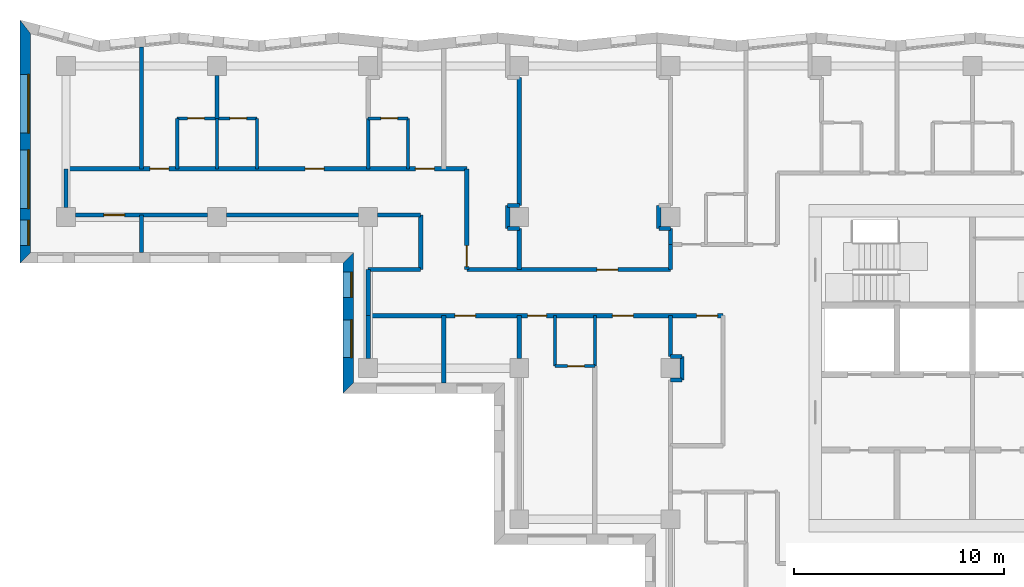
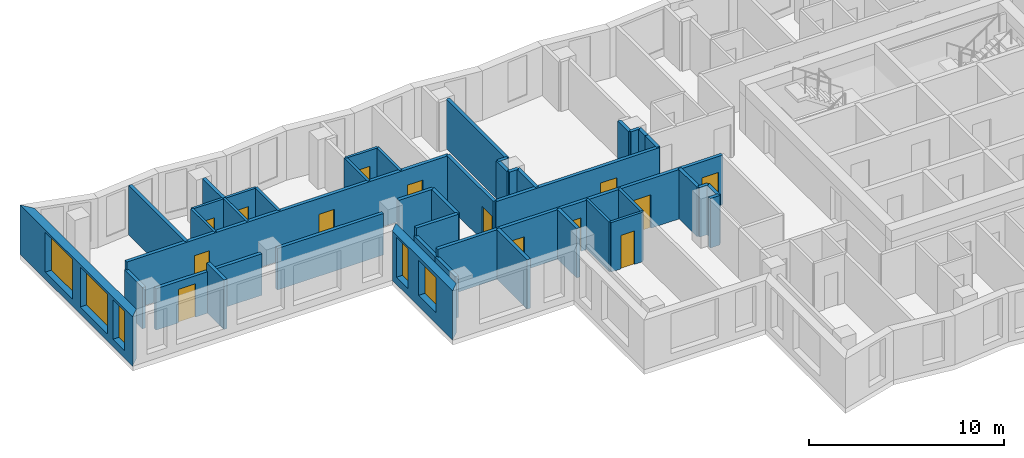
# One storey, part 4 of 12: 42 walls, 14 doors, 5 windows, 19 openings.
"""IFC4 building model written with IfcOpenShell, lengths in metres."""

from ifc_helpers import new_model, si_unit, direction, frame, frame_2d, origin, place, context, subcontext, project, spatial, polyline, rectangle, outline, extrude, material, layer, layer_set, type_object, element, fill, save


model = new_model("IFC4")

# Units and contexts
model_context = context("Model", 3, precision=1e-05, world=origin(), true_north=direction((0.0, 1.0)))
body_context = subcontext(model_context, "Body", "Model", "MODEL_VIEW")
ifc_project = project(units=[si_unit("LENGTHUNIT", "METRE"), si_unit("AREAUNIT", "SQUARE_METRE"), si_unit("VOLUMEUNIT", "CUBIC_METRE"), si_unit("PLANEANGLEUNIT", "RADIAN"), si_unit("MASSUNIT", "GRAM", prefix="KILO")], contexts=[model_context])

# Site, building, storey
site_placement = place(None, origin())
site = spatial("IfcSite", under=ifc_project, at=site_placement, CompositionType="ELEMENT")
building_placement = place(site_placement, origin())
building = spatial("IfcBuilding", under=site, at=building_placement, Name="Windrow Commons", CompositionType="ELEMENT")
storey_placement = place(building_placement, frame((0.0, 0.0, 145.6)))
storey = spatial("IfcBuildingStorey", under=building, at=storey_placement, Name="L39", CompositionType="ELEMENT", Elevation=145.6)

# Wall, openings, windows
ifc_material_1 = material(Name="Brick masonry, red clay brick", Category="masonry")
ifc_layer_1 = layer(ifc_material_1, 0.5)
ifc_layer_set_1 = layer_set([ifc_layer_1], Name="Brick facade wall 500")
wall_type_1 = type_object("IfcWallType", Name="Brick facade wall 500", PredefinedType="SOLIDWALL", material=ifc_layer_set_1)
wall_1_placement = place(storey_placement, frame((19.659, 73.8673, 0.0), z_axis=(0.0, 0.0, 1.0), x_axis=(0.0, -1.0, 0.0)))
wall_1 = element("IfcWall", 1, at=wall_1_placement, inside=storey, type_object=wall_type_1, Name="Brick facade wall L39 35", PredefinedType="SOLIDWALL", context=body_context, shape_type="SweptSolid", body=[
    extrude(outline(polyline([(-0.3237, -0.25), (11.2583, -0.25), (10.7583, 0.25), (0.3237, 0.25), (-0.3237, -0.25)])), origin(), (0.0, 0.0, 1.0), 3.1),
])
opening_1_placement = place(wall_1_placement, frame((2.2673, 0.0, 0.45)))
opening_1 = element("IfcOpeningElement", 2, at=opening_1_placement, cuts=wall_1, Name="Opening W1U", PredefinedType="OPENING", context=body_context, shape_type="SweptSolid", body=[
    extrude(rectangle(XDim=2.8, YDim=2.5, at=frame_2d((1.4, 1.25))), frame((0.0, 0.26, 0.0), z_axis=(0.0, -1.0, 0.0), x_axis=(1.0, 0.0, 0.0)), (0.0, 0.0, 1.0), 0.52),
])
opening_2_placement = place(wall_1_placement, frame((5.8673, 0.0, 0.45)))
opening_2 = element("IfcOpeningElement", 3, at=opening_2_placement, cuts=wall_1, Name="Opening W1U", PredefinedType="OPENING", context=body_context, shape_type="SweptSolid", body=[
    extrude(rectangle(XDim=2.8, YDim=2.5, at=frame_2d((1.4, 1.25))), frame((0.0, 0.26, 0.0), z_axis=(0.0, -1.0, 0.0), x_axis=(1.0, 0.0, 0.0)), (0.0, 0.0, 1.0), 0.52),
])
opening_3_placement = place(wall_1_placement, frame((9.2128, 0.0, 0.45)))
opening_3 = element("IfcOpeningElement", 4, at=opening_3_placement, cuts=wall_1, Name="Opening W7E", PredefinedType="OPENING", context=body_context, shape_type="SweptSolid", body=[
    extrude(rectangle(XDim=1.2, YDim=2.5, at=frame_2d((0.6, 1.25))), frame((0.0, 0.26, 0.0), z_axis=(0.0, -1.0, 0.0), x_axis=(1.0, 0.0, 0.0)), (0.0, 0.0, 1.0), 0.52),
])
ifc_material_2 = material(Name="Clear float glass in anodised aluminium frame", Category="aluminium")
window_type_1 = type_object("IfcWindowType", Name="Window W1U bedroom 2800x2500", PartitioningType="SINGLE_PANEL", PredefinedType="WINDOW", material=ifc_material_2)
window_1_placement = place(opening_1_placement, origin())
window_1 = element("IfcWindow", 5, at=window_1_placement, inside=storey, type_object=window_type_1, Name="Window L39 35.1", OverallHeight=2.5, OverallWidth=2.8, PartitioningType="SINGLE_PANEL", PredefinedType="WINDOW", context=body_context, shape_type="SweptSolid", body=[
    extrude(rectangle(XDim=2.8, YDim=2.5, at=frame_2d((1.4, 1.25))), frame((0.0, 0.18, 0.0), z_axis=(0.0, -1.0, 0.0), x_axis=(1.0, 0.0, 0.0)), (0.0, 0.0, 1.0), 0.06),
])
fill(opening_1, window_1)
window_2_placement = place(opening_2_placement, origin())
window_2 = element("IfcWindow", 6, at=window_2_placement, inside=storey, type_object=window_type_1, Name="Window L39 35.2", OverallHeight=2.5, OverallWidth=2.8, PartitioningType="SINGLE_PANEL", PredefinedType="WINDOW", context=body_context, shape_type="SweptSolid", body=[
    extrude(rectangle(XDim=2.8, YDim=2.5, at=frame_2d((1.4, 1.25))), frame((0.0, 0.18, 0.0), z_axis=(0.0, -1.0, 0.0), x_axis=(1.0, 0.0, 0.0)), (0.0, 0.0, 1.0), 0.06),
])
fill(opening_2, window_2)
ifc_material_3 = material(Name="Clear float glass in anodised aluminium frame", Category="aluminium")
window_type_2 = type_object("IfcWindowType", Name="Window W7 notch 1200x2500", PartitioningType="SINGLE_PANEL", PredefinedType="WINDOW", material=ifc_material_3)
window_3_placement = place(opening_3_placement, origin())
window_3 = element("IfcWindow", 7, at=window_3_placement, inside=storey, type_object=window_type_2, Name="Window L39 35.3", OverallHeight=2.5, OverallWidth=1.2, PartitioningType="SINGLE_PANEL", PredefinedType="WINDOW", context=body_context, shape_type="SweptSolid", body=[
    extrude(rectangle(XDim=1.2, YDim=2.5, at=frame_2d((0.6, 1.25))), frame((0.0, 0.18, 0.0), z_axis=(0.0, -1.0, 0.0), x_axis=(1.0, 0.0, 0.0)), (0.0, 0.0, 1.0), 0.06),
])
fill(opening_3, window_3)

wall_2_placement = place(storey_placement, frame((35.05, 62.859, 0.0), z_axis=(0.0, 0.0, 1.0), x_axis=(0.0, -1.0, 0.0)))
wall_2 = element("IfcWall", 8, at=wall_2_placement, inside=storey, type_object=wall_type_1, Name="Brick facade wall L39 37", PredefinedType="SOLIDWALL", context=body_context, shape_type="SweptSolid", body=[
    extrude(outline(polyline([(0.25, -0.25), (6.459, -0.25), (5.959, 0.25), (-0.25, 0.25), (0.25, -0.25)])), origin(), (0.0, 0.0, 1.0), 3.1),
])
opening_4_placement = place(wall_2_placement, frame((0.6795, 0.0, 0.45)))
opening_4 = element("IfcOpeningElement", 9, at=opening_4_placement, cuts=wall_2, Name="Opening W7E", PredefinedType="OPENING", context=body_context, shape_type="SweptSolid", body=[
    extrude(rectangle(XDim=1.2, YDim=2.5, at=frame_2d((0.6, 1.25))), frame((0.0, 0.26, 0.0), z_axis=(0.0, -1.0, 0.0), x_axis=(1.0, 0.0, 0.0)), (0.0, 0.0, 1.0), 0.52),
])
opening_5_placement = place(wall_2_placement, frame((2.959, 0.0, 0.7)))
opening_5 = element("IfcOpeningElement", 10, at=opening_5_placement, cuts=wall_2, Name="Opening W6", PredefinedType="OPENING", context=body_context, shape_type="SweptSolid", body=[
    extrude(rectangle(XDim=1.8, YDim=2.2, at=frame_2d((0.9, 1.1))), frame((0.0, 0.26, 0.0), z_axis=(0.0, -1.0, 0.0), x_axis=(1.0, 0.0, 0.0)), (0.0, 0.0, 1.0), 0.52),
])
ifc_material_4 = material(Name="Clear float glass in anodised aluminium frame", Category="aluminium")
window_type_3 = type_object("IfcWindowType", Name="Window W6 crown 1800x2200", PartitioningType="SINGLE_PANEL", PredefinedType="WINDOW", material=ifc_material_4)
window_4_placement = place(opening_5_placement, origin())
window_4 = element("IfcWindow", 11, at=window_4_placement, inside=storey, type_object=window_type_3, Name="Window L39 37.1A", OverallHeight=2.2, OverallWidth=1.8, PartitioningType="SINGLE_PANEL", PredefinedType="WINDOW", context=body_context, shape_type="SweptSolid", body=[
    extrude(rectangle(XDim=1.8, YDim=2.2, at=frame_2d((0.9, 1.1))), frame((0.0, 0.18, 0.0), z_axis=(0.0, -1.0, 0.0), x_axis=(1.0, 0.0, 0.0)), (0.0, 0.0, 1.0), 0.06),
])
fill(opening_5, window_4)
window_5_placement = place(opening_4_placement, origin())
window_5 = element("IfcWindow", 12, at=window_5_placement, inside=storey, type_object=window_type_2, Name="Window L39 37.2", OverallHeight=2.5, OverallWidth=1.2, PartitioningType="SINGLE_PANEL", PredefinedType="WINDOW", context=body_context, shape_type="SweptSolid", body=[
    extrude(rectangle(XDim=1.2, YDim=2.5, at=frame_2d((0.6, 1.25))), frame((0.0, 0.18, 0.0), z_axis=(0.0, -1.0, 0.0), x_axis=(1.0, 0.0, 0.0)), (0.0, 0.0, 1.0), 0.06),
])
fill(opening_4, window_5)

# Wall, openings, doors
ifc_material_5 = material(Name="Blockwork partition", Category="masonry")
ifc_layer_2 = layer(ifc_material_5, 0.2)
ifc_layer_set_2 = layer_set([ifc_layer_2], Name="IW-CORRIDOR-200")
wall_type_2 = type_object("IfcWallType", Name="IW-CORRIDOR-200", PredefinedType="PARTITIONING", material=ifc_layer_set_2)
wall_3_placement = place(storey_placement, frame((21.602, 67.1, 0.0), z_axis=(0.0, 0.0, 1.0), x_axis=(1.0, 0.0, 0.0)))
wall_3 = element("IfcWall", 13, at=wall_3_placement, inside=storey, type_object=wall_type_2, Name="W-L39-W000", PredefinedType="PARTITIONING", context=body_context, shape_type="SweptSolid", body=[
    extrude(rectangle(XDim=19.098, YDim=0.2, at=frame_2d((9.549, 0.0))), origin(), (0.0, 0.0, 1.0), 3.1),
])
opening_6_placement = place(wall_3_placement, frame((3.998, 0.0, 0.0)))
opening_6 = element("IfcOpeningElement", 14, at=opening_6_placement, cuts=wall_3, Name="Opening D109S", PredefinedType="OPENING", context=body_context, shape_type="SweptSolid", body=[
    extrude(rectangle(XDim=0.9, YDim=2.1, at=frame_2d((0.45, 1.05))), frame((0.0, 0.11, 0.0), z_axis=(0.0, -1.0, 0.0), x_axis=(1.0, 0.0, 0.0)), (0.0, 0.0, 1.0), 0.22),
])
opening_7_placement = place(wall_3_placement, frame((11.3986, 0.0, 0.0)))
opening_7 = element("IfcOpeningElement", 15, at=opening_7_placement, cuts=wall_3, Name="Opening D109F", PredefinedType="OPENING", context=body_context, shape_type="SweptSolid", body=[
    extrude(rectangle(XDim=0.9, YDim=2.1, at=frame_2d((0.45, 1.05))), frame((0.0, 0.11, 0.0), z_axis=(0.0, -1.0, 0.0), x_axis=(1.0, 0.0, 0.0)), (0.0, 0.0, 1.0), 0.22),
])
opening_8_placement = place(wall_3_placement, frame((16.648, 0.0, 0.0)))
opening_8 = element("IfcOpeningElement", 16, at=opening_8_placement, cuts=wall_3, Name="Opening D109S", PredefinedType="OPENING", context=body_context, shape_type="SweptSolid", body=[
    extrude(rectangle(XDim=0.9, YDim=2.1, at=frame_2d((0.45, 1.05))), frame((0.0, 0.11, 0.0), z_axis=(0.0, -1.0, 0.0), x_axis=(1.0, 0.0, 0.0)), (0.0, 0.0, 1.0), 0.22),
])
ifc_material_6 = material(Name="Timber door leaf", Category="wood")
door_type_1 = type_object("IfcDoorType", Name="DT-BEDROOM-900", OperationType="SINGLE_SWING_LEFT", PredefinedType="DOOR", material=ifc_material_6)
door_1_placement = place(opening_6_placement, origin())
door_1 = element("IfcDoor", 17, at=door_1_placement, inside=storey, type_object=door_type_1, Name="D-L39-D002", OperationType="SINGLE_SWING_LEFT", OverallHeight=2.1, OverallWidth=0.9, PredefinedType="DOOR", context=body_context, shape_type="SweptSolid", body=[
    extrude(rectangle(XDim=0.9, YDim=2.1, at=frame_2d((0.45, 1.05))), frame((0.0, 0.025, 0.0), z_axis=(0.0, -1.0, 0.0), x_axis=(1.0, 0.0, 0.0)), (0.0, 0.0, 1.0), 0.05),
])
fill(opening_6, door_1)
door_2_placement = place(opening_7_placement, origin())
door_2 = element("IfcDoor", 18, at=door_2_placement, inside=storey, type_object=door_type_1, Name="D-L39-D004", OperationType="SINGLE_SWING_RIGHT", OverallHeight=2.1, OverallWidth=0.9, PredefinedType="DOOR", context=body_context, shape_type="SweptSolid", body=[
    extrude(rectangle(XDim=0.9, YDim=2.1, at=frame_2d((0.45, 1.05))), frame((0.0, 0.025, 0.0), z_axis=(0.0, -1.0, 0.0), x_axis=(1.0, 0.0, 0.0)), (0.0, 0.0, 1.0), 0.05),
])
fill(opening_7, door_2)
door_3_placement = place(opening_8_placement, origin())
door_3 = element("IfcDoor", 19, at=door_3_placement, inside=storey, type_object=door_type_1, Name="D-L39-D006", OperationType="SINGLE_SWING_RIGHT", OverallHeight=2.1, OverallWidth=0.9, PredefinedType="DOOR", context=body_context, shape_type="SweptSolid", body=[
    extrude(rectangle(XDim=0.9, YDim=2.1, at=frame_2d((0.45, 1.05))), frame((0.0, 0.025, 0.0), z_axis=(0.0, -1.0, 0.0), x_axis=(1.0, 0.0, 0.0)), (0.0, 0.0, 1.0), 0.05),
])
fill(opening_8, door_3)

wall_4_placement = place(storey_placement, frame((36.0, 60.1, 0.0), z_axis=(0.0, 0.0, 1.0), x_axis=(1.0, 0.0, 0.0)))
wall_4 = element("IfcWall", 20, at=wall_4_placement, inside=storey, type_object=wall_type_2, Name="W-L39-W003", PredefinedType="PARTITIONING", context=body_context, shape_type="SweptSolid", body=[
    extrude(rectangle(XDim=16.9, YDim=0.2, at=frame_2d((8.45, 0.0))), origin(), (0.0, 0.0, 1.0), 3.1),
])
opening_9_placement = place(wall_4_placement, frame((4.125, 0.0, 0.0)))
opening_9 = element("IfcOpeningElement", 21, at=opening_9_placement, cuts=wall_4, Name="Opening D310F", PredefinedType="OPENING", context=body_context, shape_type="SweptSolid", body=[
    extrude(rectangle(XDim=1.0, YDim=2.1, at=frame_2d((0.5, 1.05))), frame((0.0, 0.11, 0.0), z_axis=(0.0, -1.0, 0.0), x_axis=(1.0, 0.0, 0.0)), (0.0, 0.0, 1.0), 0.22),
])
opening_10_placement = place(wall_4_placement, frame((7.6, 0.0, 0.0)))
opening_10 = element("IfcOpeningElement", 22, at=opening_10_placement, cuts=wall_4, Name="Opening D109S", PredefinedType="OPENING", context=body_context, shape_type="SweptSolid", body=[
    extrude(rectangle(XDim=0.9, YDim=2.1, at=frame_2d((0.45, 1.05))), frame((0.0, 0.11, 0.0), z_axis=(0.0, -1.0, 0.0), x_axis=(1.0, 0.0, 0.0)), (0.0, 0.0, 1.0), 0.22),
])
opening_11_placement = place(wall_4_placement, frame((11.635, 0.0, 0.0)))
opening_11 = element("IfcOpeningElement", 23, at=opening_11_placement, cuts=wall_4, Name="Opening D310F", PredefinedType="OPENING", context=body_context, shape_type="SweptSolid", body=[
    extrude(rectangle(XDim=1.0, YDim=2.1, at=frame_2d((0.5, 1.05))), frame((0.0, 0.11, 0.0), z_axis=(0.0, -1.0, 0.0), x_axis=(1.0, 0.0, 0.0)), (0.0, 0.0, 1.0), 0.22),
])
opening_12_placement = place(wall_4_placement, frame((15.6524, 0.0, 0.0)))
opening_12 = element("IfcOpeningElement", 24, at=opening_12_placement, cuts=wall_4, Name="Opening D410F", PredefinedType="OPENING", context=body_context, shape_type="SweptSolid", body=[
    extrude(rectangle(XDim=1.0, YDim=2.1, at=frame_2d((0.5, 1.05))), frame((0.0, 0.11, 0.0), z_axis=(0.0, -1.0, 0.0), x_axis=(1.0, 0.0, 0.0)), (0.0, 0.0, 1.0), 0.22),
])
ifc_material_7 = material(Name="Timber door leaf", Category="wood")
door_type_2 = type_object("IfcDoorType", Name="DT-AMENITY-1000", OperationType="SINGLE_SWING_LEFT", PredefinedType="DOOR", material=ifc_material_7)
door_4_placement = place(opening_9_placement, origin())
door_4 = element("IfcDoor", 25, at=door_4_placement, inside=storey, type_object=door_type_2, Name="D-L39-D017", OperationType="SINGLE_SWING_RIGHT", OverallHeight=2.1, OverallWidth=1.0, PredefinedType="DOOR", context=body_context, shape_type="SweptSolid", body=[
    extrude(rectangle(XDim=1.0, YDim=2.1, at=frame_2d((0.5, 1.05))), frame((0.0, 0.025, 0.0), z_axis=(0.0, -1.0, 0.0), x_axis=(1.0, 0.0, 0.0)), (0.0, 0.0, 1.0), 0.05),
])
fill(opening_9, door_4)
door_5_placement = place(opening_11_placement, origin())
door_5 = element("IfcDoor", 26, at=door_5_placement, inside=storey, type_object=door_type_2, Name="D-L39-D022", OperationType="SINGLE_SWING_RIGHT", OverallHeight=2.1, OverallWidth=1.0, PredefinedType="DOOR", context=body_context, shape_type="SweptSolid", body=[
    extrude(rectangle(XDim=1.0, YDim=2.1, at=frame_2d((0.5, 1.05))), frame((0.0, 0.025, 0.0), z_axis=(0.0, -1.0, 0.0), x_axis=(1.0, 0.0, 0.0)), (0.0, 0.0, 1.0), 0.05),
])
fill(opening_11, door_5)
door_6_placement = place(opening_10_placement, origin())
door_6 = element("IfcDoor", 27, at=door_6_placement, inside=storey, type_object=door_type_1, Name="D-L39-D018", OperationType="SINGLE_SWING_LEFT", OverallHeight=2.1, OverallWidth=0.9, PredefinedType="DOOR", context=body_context, shape_type="SweptSolid", body=[
    extrude(rectangle(XDim=0.9, YDim=2.1, at=frame_2d((0.45, 1.05))), frame((0.0, 0.025, 0.0), z_axis=(0.0, -1.0, 0.0), x_axis=(1.0, 0.0, 0.0)), (0.0, 0.0, 1.0), 0.05),
])
fill(opening_10, door_6)
ifc_material_8 = material(Name="Timber door leaf", Category="wood")
door_type_3 = type_object("IfcDoorType", Name="DT-SERVICE-1000", OperationType="SINGLE_SWING_LEFT", PredefinedType="DOOR", material=ifc_material_8)
door_7_placement = place(opening_12_placement, origin())
door_7 = element("IfcDoor", 28, at=door_7_placement, inside=storey, type_object=door_type_3, Name="D-L39-D029", OperationType="SINGLE_SWING_LEFT", OverallHeight=2.1, OverallWidth=1.0, PredefinedType="DOOR", context=body_context, shape_type="SweptSolid", body=[
    extrude(rectangle(XDim=1.0, YDim=2.1, at=frame_2d((0.5, 1.05))), frame((0.0, 0.025, 0.0), z_axis=(0.0, -1.0, 0.0), x_axis=(1.0, 0.0, 0.0)), (0.0, 0.0, 1.0), 0.05),
])
fill(opening_12, door_7)

# Wall, opening, door
wall_5_placement = place(storey_placement, frame((40.702, 62.3, 0.0), z_axis=(0.0, 0.0, 1.0), x_axis=(1.0, 0.0, 0.0)))
wall_5 = element("IfcWall", 29, at=wall_5_placement, inside=storey, type_object=wall_type_2, Name="W-L39-W008", PredefinedType="PARTITIONING", context=body_context, shape_type="SweptSolid", body=[
    extrude(rectangle(XDim=9.698, YDim=0.2, at=frame_2d((4.849, 0.0))), origin(), (0.0, 0.0, 1.0), 3.1),
])
opening_13_placement = place(wall_5_placement, frame((6.198, 0.0, 0.0)))
opening_13 = element("IfcOpeningElement", 30, at=opening_13_placement, cuts=wall_5, Name="Opening D310F", PredefinedType="OPENING", context=body_context, shape_type="SweptSolid", body=[
    extrude(rectangle(XDim=1.0, YDim=2.1, at=frame_2d((0.5, 1.05))), frame((0.0, 0.11, 0.0), z_axis=(0.0, -1.0, 0.0), x_axis=(1.0, 0.0, 0.0)), (0.0, 0.0, 1.0), 0.22),
])
door_8_placement = place(opening_13_placement, origin())
door_8 = element("IfcDoor", 31, at=door_8_placement, inside=storey, type_object=door_type_2, Name="D-L39-D021", OperationType="SINGLE_SWING_RIGHT", OverallHeight=2.1, OverallWidth=1.0, PredefinedType="DOOR", context=body_context, shape_type="SweptSolid", body=[
    extrude(rectangle(XDim=1.0, YDim=2.1, at=frame_2d((0.5, 1.05))), frame((0.0, 0.025, 0.0), z_axis=(0.0, -1.0, 0.0), x_axis=(1.0, 0.0, 0.0)), (0.0, 0.0, 1.0), 0.05),
])
fill(opening_13, door_8)

wall_6_placement = place(storey_placement, frame((22.05, 64.9, 0.0), z_axis=(0.0, 0.0, 1.0), x_axis=(1.0, 0.0, 0.0)))
wall_6 = element("IfcWall", 32, at=wall_6_placement, inside=storey, type_object=wall_type_2, Name="W-L39-W021", PredefinedType="PARTITIONING", context=body_context, shape_type="SweptSolid", body=[
    extrude(rectangle(XDim=6.3, YDim=0.2, at=frame_2d((3.15, 0.0))), origin(), (0.0, 0.0, 1.0), 2.6),
])
opening_14_placement = place(wall_6_placement, frame((1.3501, 0.0, 0.0)))
opening_14 = element("IfcOpeningElement", 33, at=opening_14_placement, cuts=wall_6, Name="Opening D310F", PredefinedType="OPENING", context=body_context, shape_type="SweptSolid", body=[
    extrude(rectangle(XDim=1.0, YDim=2.1, at=frame_2d((0.5, 1.05))), frame((0.0, 0.11, 0.0), z_axis=(0.0, -1.0, 0.0), x_axis=(1.0, 0.0, 0.0)), (0.0, 0.0, 1.0), 0.22),
])
door_9_placement = place(opening_14_placement, origin())
door_9 = element("IfcDoor", 34, at=door_9_placement, inside=storey, type_object=door_type_2, Name="D-L39-D001", OperationType="SINGLE_SWING_RIGHT", OverallHeight=2.1, OverallWidth=1.0, PredefinedType="DOOR", context=body_context, shape_type="SweptSolid", body=[
    extrude(rectangle(XDim=1.0, YDim=2.1, at=frame_2d((0.5, 1.05))), frame((0.0, 0.025, 0.0), z_axis=(0.0, -1.0, 0.0), x_axis=(1.0, 0.0, 0.0)), (0.0, 0.0, 1.0), 0.05),
])
fill(opening_14, door_9)

# Wall
wall_7_placement = place(storey_placement, frame((29.25, 64.9, 0.0), z_axis=(0.0, 0.0, 1.0), x_axis=(1.0, 0.0, 0.0)))
element("IfcWall", 35, at=wall_7_placement, inside=storey, type_object=wall_type_2, Name="W-L39-W022", PredefinedType="PARTITIONING", context=body_context, shape_type="SweptSolid", body=[
    extrude(rectangle(XDim=6.3, YDim=0.2, at=frame_2d((3.15, 0.0))), origin(), (0.0, 0.0, 1.0), 2.6),
])

# Wall, opening, door
wall_8_placement = place(storey_placement, frame((40.7, 62.302, 0.0), z_axis=(0.0, 0.0, 1.0), x_axis=(0.0, 1.0, 0.0)))
wall_8 = element("IfcWall", 36, at=wall_8_placement, inside=storey, type_object=wall_type_2, Name="W-L39-W040", PredefinedType="PARTITIONING", context=body_context, shape_type="SweptSolid", body=[
    extrude(rectangle(XDim=4.798, YDim=0.2, at=frame_2d((2.399, 0.0))), origin(), (0.0, 0.0, 1.0), 3.1),
])
opening_15_placement = place(wall_8_placement, frame((0.133, 0.0, 0.0)))
opening_15 = element("IfcOpeningElement", 37, at=opening_15_placement, cuts=wall_8, Name="Opening D310F", PredefinedType="OPENING", context=body_context, shape_type="SweptSolid", body=[
    extrude(rectangle(XDim=1.0, YDim=2.1, at=frame_2d((0.5, 1.05))), frame((0.0, 0.11, 0.0), z_axis=(0.0, -1.0, 0.0), x_axis=(1.0, 0.0, 0.0)), (0.0, 0.0, 1.0), 0.22),
])
door_10_placement = place(opening_15_placement, origin())
door_10 = element("IfcDoor", 38, at=door_10_placement, inside=storey, type_object=door_type_2, Name="D-L39-D020", OperationType="SINGLE_SWING_LEFT", OverallHeight=2.1, OverallWidth=1.0, PredefinedType="DOOR", context=body_context, shape_type="SweptSolid", body=[
    extrude(rectangle(XDim=1.0, YDim=2.1, at=frame_2d((0.5, 1.05))), frame((0.0, 0.025, 0.0), z_axis=(0.0, -1.0, 0.0), x_axis=(1.0, 0.0, 0.0)), (0.0, 0.0, 1.0), 0.05),
])
fill(opening_15, door_10)

# Walls
wall_9_placement = place(storey_placement, frame((38.5, 62.302, 0.0), z_axis=(0.0, 0.0, 1.0), x_axis=(0.0, 1.0, 0.0)))
element("IfcWall", 39, at=wall_9_placement, inside=storey, type_object=wall_type_2, Name="W-L39-W061", PredefinedType="PARTITIONING", context=body_context, shape_type="SweptSolid", body=[
    extrude(rectangle(XDim=2.598, YDim=0.2, at=frame_2d((1.299, 0.0))), origin(), (0.0, 0.0, 1.0), 3.1),
])
wall_10_placement = place(storey_placement, frame((36.0, 62.3, 0.0), z_axis=(0.0, 0.0, 1.0), x_axis=(1.0, 0.0, 0.0)))
element("IfcWall", 40, at=wall_10_placement, inside=storey, type_object=wall_type_2, Name="W-L39-W062", PredefinedType="PARTITIONING", context=body_context, shape_type="SweptSolid", body=[
    extrude(rectangle(XDim=2.5, YDim=0.2, at=frame_2d((1.25, 0.0))), origin(), (0.0, 0.0, 1.0), 3.1),
])
wall_11_placement = place(storey_placement, frame((36.0, 60.1, 0.0), z_axis=(0.0, 0.0, 1.0), x_axis=(0.0, 1.0, 0.0)))
element("IfcWall", 41, at=wall_11_placement, inside=storey, type_object=wall_type_2, Name="W-L39-W108", PredefinedType="PARTITIONING", context=body_context, shape_type="SweptSolid", body=[
    extrude(rectangle(XDim=2.2, YDim=0.2, at=frame_2d((1.1, 0.0))), origin(), (0.0, 0.0, 1.0), 2.6),
])
wall_12_placement = place(storey_placement, frame((36.45, 64.9, 0.0), z_axis=(0.0, 0.0, 1.0), x_axis=(1.0, 0.0, 0.0)))
element("IfcWall", 42, at=wall_12_placement, inside=storey, type_object=wall_type_2, Name="W-L39-W117", PredefinedType="PARTITIONING", context=body_context, shape_type="SweptSolid", body=[
    extrude(rectangle(XDim=2.05, YDim=0.2, at=frame_2d((1.025, 0.0))), origin(), (0.0, 0.0, 1.0), 3.1),
])
wall_13_placement = place(storey_placement, frame((21.6, 65.25, 0.0), z_axis=(0.0, 0.0, 1.0), x_axis=(0.0, 1.0, 0.0)))
element("IfcWall", 43, at=wall_13_placement, inside=storey, type_object=wall_type_2, Name="W-L39-W136", PredefinedType="PARTITIONING", context=body_context, shape_type="SweptSolid", body=[
    extrude(rectangle(XDim=1.848, YDim=0.2, at=frame_2d((0.924, 0.0))), origin(), (0.0, 0.0, 1.0), 2.6),
])
wall_14_placement = place(storey_placement, frame((50.4, 62.302, 0.0), z_axis=(0.0, 0.0, 1.0), x_axis=(0.0, 1.0, 0.0)))
element("IfcWall", 44, at=wall_14_placement, inside=storey, type_object=wall_type_2, Name="W-L39-W150", PredefinedType="PARTITIONING", context=body_context, shape_type="SweptSolid", body=[
    extrude(rectangle(XDim=1.198, YDim=0.2, at=frame_2d((0.599, 0.0))), origin(), (0.0, 0.0, 1.0), 3.1),
])

# Wall, openings, doors
ifc_material_9 = material(Name="Blockwork partition", Category="masonry")
ifc_layer_3 = layer(ifc_material_9, 0.15)
ifc_layer_set_3 = layer_set([ifc_layer_3], Name="IW-ENSUITE-150")
wall_type_3 = type_object("IfcWallType", Name="IW-ENSUITE-150", PredefinedType="PARTITIONING", material=ifc_layer_set_3)
wall_15_placement = place(storey_placement, frame((26.9, 69.5, 0.0), z_axis=(0.0, 0.0, 1.0), x_axis=(1.0, 0.0, 0.0)))
wall_15 = element("IfcWall", 45, at=wall_15_placement, inside=storey, type_object=wall_type_3, Name="W-L39-W047", PredefinedType="PARTITIONING", context=body_context, shape_type="SweptSolid", body=[
    extrude(rectangle(XDim=3.8, YDim=0.15, at=frame_2d((1.9, 0.0))), origin(), (0.0, 0.0, 1.0), 3.1),
])
opening_16_placement = place(wall_15_placement, frame((0.4931, 0.0, 0.0)))
opening_16 = element("IfcOpeningElement", 46, at=opening_16_placement, cuts=wall_15, Name="Opening D208N", PredefinedType="OPENING", context=body_context, shape_type="SweptSolid", body=[
    extrude(rectangle(XDim=0.8, YDim=2.1, at=frame_2d((0.4, 1.05))), frame((0.0, 0.085, 0.0), z_axis=(0.0, -1.0, 0.0), x_axis=(1.0, 0.0, 0.0)), (0.0, 0.0, 1.0), 0.17),
])
opening_17_placement = place(wall_15_placement, frame((2.5069, 0.0, 0.0)))
opening_17 = element("IfcOpeningElement", 47, at=opening_17_placement, cuts=wall_15, Name="Opening D208N", PredefinedType="OPENING", context=body_context, shape_type="SweptSolid", body=[
    extrude(rectangle(XDim=0.8, YDim=2.1, at=frame_2d((0.4, 1.05))), frame((0.0, 0.085, 0.0), z_axis=(0.0, -1.0, 0.0), x_axis=(1.0, 0.0, 0.0)), (0.0, 0.0, 1.0), 0.17),
])
ifc_material_10 = material(Name="Timber door leaf", Category="wood")
door_type_4 = type_object("IfcDoorType", Name="DT-ENSUITE-800", OperationType="SINGLE_SWING_LEFT", PredefinedType="DOOR", material=ifc_material_10)
door_11_placement = place(opening_16_placement, origin())
door_11 = element("IfcDoor", 48, at=door_11_placement, inside=storey, type_object=door_type_4, Name="D-L39-D003", OperationType="SINGLE_SWING_RIGHT", OverallHeight=2.1, OverallWidth=0.8, PredefinedType="DOOR", context=body_context, shape_type="SweptSolid", body=[
    extrude(rectangle(XDim=0.8, YDim=2.1, at=frame_2d((0.4, 1.05))), frame((0.0, 0.025, 0.0), z_axis=(0.0, -1.0, 0.0), x_axis=(1.0, 0.0, 0.0)), (0.0, 0.0, 1.0), 0.05),
])
fill(opening_16, door_11)
door_12_placement = place(opening_17_placement, origin())
door_12 = element("IfcDoor", 49, at=door_12_placement, inside=storey, type_object=door_type_4, Name="D-L39-D005", OperationType="SINGLE_SWING_RIGHT", OverallHeight=2.1, OverallWidth=0.8, PredefinedType="DOOR", context=body_context, shape_type="SweptSolid", body=[
    extrude(rectangle(XDim=0.8, YDim=2.1, at=frame_2d((0.4, 1.05))), frame((0.0, 0.025, 0.0), z_axis=(0.0, -1.0, 0.0), x_axis=(1.0, 0.0, 0.0)), (0.0, 0.0, 1.0), 0.05),
])
fill(opening_17, door_12)

# Walls
for number, where, z_axis, x_axis, name in (
    (50, (26.9, 67.1, 0.0), (0.0, 0.0, 1.0), (0.0, 1.0, 0.0), "W-L39-W070"),
    (51, (28.8, 67.1, 0.0), (0.0, 0.0, 1.0), (0.0, 1.0, 0.0), "W-L39-W071"),
    (52, (30.7, 67.1, 0.0), (0.0, 0.0, 1.0), (0.0, 1.0, 0.0), "W-L39-W072"),
    (53, (36.0, 67.1, 0.0), (0.0, 0.0, 1.0), (0.0, 1.0, 0.0), "W-L39-W073"),
    (54, (37.9, 67.1, 0.0), (0.0, 0.0, 1.0), (0.0, 1.0, 0.0), "W-L39-W074"),
    (55, (44.9, 57.7, 0.0), (0.0, 0.0, 1.0), (0.0, 1.0, 0.0), "W-L39-W081"),
    (56, (46.8, 57.7, 0.0), (0.0, 0.0, 1.0), (0.0, 1.0, 0.0), "W-L39-W082"),
):
    element("IfcWall", number, at=place(storey_placement, frame(where, z_axis=z_axis, x_axis=x_axis)), inside=storey, type_object=wall_type_3, Name=name, PredefinedType="PARTITIONING", context=body_context, shape_type="SweptSolid", body=[
        extrude(rectangle(XDim=2.4, YDim=0.15, at=frame_2d((1.2, 0.0))), origin(), (0.0, 0.0, 1.0), 3.1),
    ])

# Wall, opening, door
wall_16_placement = place(storey_placement, frame((36.0, 69.5, 0.0), z_axis=(0.0, 0.0, 1.0), x_axis=(1.0, 0.0, 0.0)))
wall_16 = element("IfcWall", 57, at=wall_16_placement, inside=storey, type_object=wall_type_3, Name="W-L39-W126", PredefinedType="PARTITIONING", context=body_context, shape_type="SweptSolid", body=[
    extrude(rectangle(XDim=1.9, YDim=0.15, at=frame_2d((0.95, 0.0))), origin(), (0.0, 0.0, 1.0), 3.1),
])
opening_18_placement = place(wall_16_placement, frame((0.6069, 0.0, 0.0)))
opening_18 = element("IfcOpeningElement", 58, at=opening_18_placement, cuts=wall_16, Name="Opening D208N", PredefinedType="OPENING", context=body_context, shape_type="SweptSolid", body=[
    extrude(rectangle(XDim=0.8, YDim=2.1, at=frame_2d((0.4, 1.05))), frame((0.0, 0.085, 0.0), z_axis=(0.0, -1.0, 0.0), x_axis=(1.0, 0.0, 0.0)), (0.0, 0.0, 1.0), 0.17),
])
door_13_placement = place(opening_18_placement, origin())
door_13 = element("IfcDoor", 59, at=door_13_placement, inside=storey, type_object=door_type_4, Name="D-L39-D007", OperationType="SINGLE_SWING_RIGHT", OverallHeight=2.1, OverallWidth=0.8, PredefinedType="DOOR", context=body_context, shape_type="SweptSolid", body=[
    extrude(rectangle(XDim=0.8, YDim=2.1, at=frame_2d((0.4, 1.05))), frame((0.0, 0.025, 0.0), z_axis=(0.0, -1.0, 0.0), x_axis=(1.0, 0.0, 0.0)), (0.0, 0.0, 1.0), 0.05),
])
fill(opening_18, door_13)

wall_17_placement = place(storey_placement, frame((44.9, 57.7, 0.0), z_axis=(0.0, 0.0, 1.0), x_axis=(1.0, 0.0, 0.0)))
wall_17 = element("IfcWall", 60, at=wall_17_placement, inside=storey, type_object=wall_type_3, Name="W-L39-W127", PredefinedType="PARTITIONING", context=body_context, shape_type="SweptSolid", body=[
    extrude(rectangle(XDim=1.9, YDim=0.15, at=frame_2d((0.95, 0.0))), origin(), (0.0, 0.0, 1.0), 3.1),
])
opening_19_placement = place(wall_17_placement, frame((0.5979, 0.0, 0.0)))
opening_19 = element("IfcOpeningElement", 61, at=opening_19_placement, cuts=wall_17, Name="Opening D208N", PredefinedType="OPENING", context=body_context, shape_type="SweptSolid", body=[
    extrude(rectangle(XDim=0.8, YDim=2.1, at=frame_2d((0.4, 1.05))), frame((0.0, 0.085, 0.0), z_axis=(0.0, -1.0, 0.0), x_axis=(1.0, 0.0, 0.0)), (0.0, 0.0, 1.0), 0.17),
])
door_14_placement = place(opening_19_placement, origin())
door_14 = element("IfcDoor", 62, at=door_14_placement, inside=storey, type_object=door_type_4, Name="D-L39-D019", OperationType="SINGLE_SWING_RIGHT", OverallHeight=2.1, OverallWidth=0.8, PredefinedType="DOOR", context=body_context, shape_type="SweptSolid", body=[
    extrude(rectangle(XDim=0.8, YDim=2.1, at=frame_2d((0.4, 1.05))), frame((0.0, 0.025, 0.0), z_axis=(0.0, -1.0, 0.0), x_axis=(1.0, 0.0, 0.0)), (0.0, 0.0, 1.0), 0.05),
])
fill(opening_19, door_14)

# Walls
ifc_material_11 = material(Name="Blockwork partition", Category="masonry")
ifc_layer_4 = layer(ifc_material_11, 0.2)
ifc_layer_set_4 = layer_set([ifc_layer_4], Name="IW-PARTY-200")
wall_type_4 = type_object("IfcWallType", Name="IW-PARTY-200", PredefinedType="PARTITIONING", material=ifc_layer_set_4)
wall_18_placement = place(storey_placement, frame((43.2, 65.354, 0.0), z_axis=(0.0, 0.0, 1.0), x_axis=(0.0, 1.0, 0.0)))
element("IfcWall", 63, at=wall_18_placement, inside=storey, type_object=wall_type_4, Name="W-L39-W026", PredefinedType="PARTITIONING", context=body_context, shape_type="SweptSolid", body=[
    extrude(rectangle(XDim=6.092, YDim=0.2, at=frame_2d((3.046, 0.0))), origin(), (0.0, 0.0, 1.0), 3.1),
])
wall_19_placement = place(storey_placement, frame((25.2, 67.1, 0.0), z_axis=(0.0, 0.0, 1.0), x_axis=(0.0, 1.0, 0.0)))
element("IfcWall", 64, at=wall_19_placement, inside=storey, type_object=wall_type_4, Name="W-L39-W033", PredefinedType="PARTITIONING", context=body_context, shape_type="SweptSolid", body=[
    extrude(rectangle(XDim=5.8032, YDim=0.2, at=frame_2d((2.9016, 0.0))), origin(), (0.0, 0.0, 1.0), 3.1),
])
wall_20_placement = place(storey_placement, frame((39.6, 56.9, 0.0), z_axis=(0.0, 0.0, 1.0), x_axis=(0.0, 1.0, 0.0)))
element("IfcWall", 65, at=wall_20_placement, inside=storey, type_object=wall_type_4, Name="W-L39-W053", PredefinedType="PARTITIONING", context=body_context, shape_type="SweptSolid", body=[
    extrude(rectangle(XDim=3.2, YDim=0.2, at=frame_2d((1.6, 0.0))), origin(), (0.0, 0.0, 1.0), 3.1),
])
wall_21_placement = place(storey_placement, frame((36.0, 58.05, 0.0), z_axis=(0.0, 0.0, 1.0), x_axis=(0.0, 1.0, 0.0)))
element("IfcWall", 66, at=wall_21_placement, inside=storey, type_object=wall_type_4, Name="W-L39-W115", PredefinedType="PARTITIONING", context=body_context, shape_type="SweptSolid", body=[
    extrude(rectangle(XDim=2.05, YDim=0.2, at=frame_2d((1.025, 0.0))), origin(), (0.0, 0.0, 1.0), 2.6),
])
for number, where, z_axis, x_axis, name in (
    (67, (43.2, 58.05, 0.0), (0.0, 0.0, 1.0), (0.0, 1.0, 0.0), "W-L39-W116"),
    (68, (28.8, 69.5, 0.0), (0.0, 0.0, 1.0), (0.0, 1.0, 0.0), "W-L39-W118"),
):
    element("IfcWall", number, at=place(storey_placement, frame(where, z_axis=z_axis, x_axis=x_axis)), inside=storey, type_object=wall_type_4, Name=name, PredefinedType="PARTITIONING", context=body_context, shape_type="SweptSolid", body=[
        extrude(rectangle(XDim=2.05, YDim=0.2, at=frame_2d((1.025, 0.0))), origin(), (0.0, 0.0, 1.0), 3.1),
    ])
wall_22_placement = place(storey_placement, frame((43.2, 62.3, 0.0), z_axis=(0.0, 0.0, 1.0), x_axis=(0.0, 1.0, 0.0)))
element("IfcWall", 69, at=wall_22_placement, inside=storey, type_object=wall_type_4, Name="W-L39-W120", PredefinedType="PARTITIONING", context=body_context, shape_type="SweptSolid", body=[
    extrude(rectangle(XDim=1.946, YDim=0.2, at=frame_2d((0.973, 0.0))), origin(), (0.0, 0.0, 1.0), 3.1),
])
wall_23_placement = place(storey_placement, frame((50.4, 58.156, 0.0), z_axis=(0.0, 0.0, 1.0), x_axis=(0.0, 1.0, 0.0)))
element("IfcWall", 70, at=wall_23_placement, inside=storey, type_object=wall_type_4, Name="W-L39-W121", PredefinedType="PARTITIONING", context=body_context, shape_type="SweptSolid", body=[
    extrude(rectangle(XDim=1.944, YDim=0.2, at=frame_2d((0.972, 0.0))), origin(), (0.0, 0.0, 1.0), 3.1),
])
wall_24_placement = place(storey_placement, frame((25.2, 63.109, 0.0), z_axis=(0.0, 0.0, 1.0), x_axis=(0.0, 1.0, 0.0)))
element("IfcWall", 71, at=wall_24_placement, inside=storey, type_object=wall_type_4, Name="W-L39-W139", PredefinedType="PARTITIONING", context=body_context, shape_type="SweptSolid", body=[
    extrude(rectangle(XDim=1.791, YDim=0.2, at=frame_2d((0.8955, 0.0))), origin(), (0.0, 0.0, 1.0), 3.1),
])
wall_25_placement = place(storey_placement, frame((50.95, 57.044, 0.0), z_axis=(0.0, 0.0, 1.0), x_axis=(0.0, 1.0, 0.0)))
element("IfcWall", 72, at=wall_25_placement, inside=storey, type_object=wall_type_4, Name="W-L39-W151", PredefinedType="PARTITIONING", context=body_context, shape_type="SweptSolid", body=[
    extrude(rectangle(XDim=1.112, YDim=0.2, at=frame_2d((0.556, 0.0))), origin(), (0.0, 0.0, 1.0), 3.1),
])
for number, where, z_axis, x_axis, name in (
    (73, (42.65, 64.246, 0.0), (0.0, 0.0, 1.0), (0.0, 1.0, 0.0), "W-L39-W152"),
    (74, (49.85, 64.246, 0.0), (0.0, 0.0, 1.0), (0.0, 1.0, 0.0), "W-L39-W153"),
):
    element("IfcWall", number, at=place(storey_placement, frame(where, z_axis=z_axis, x_axis=x_axis)), inside=storey, type_object=wall_type_4, Name=name, PredefinedType="PARTITIONING", context=body_context, shape_type="SweptSolid", body=[
        extrude(rectangle(XDim=1.108, YDim=0.2, at=frame_2d((0.554, 0.0))), origin(), (0.0, 0.0, 1.0), 3.1),
    ])
wall_26_placement = place(storey_placement, frame((50.4, 63.5, 0.0), z_axis=(0.0, 0.0, 1.0), x_axis=(0.0, 1.0, 0.0)))
element("IfcWall", 75, at=wall_26_placement, inside=storey, type_object=wall_type_4, Name="W-L39-W160", PredefinedType="PARTITIONING", context=body_context, shape_type="SweptSolid", body=[
    extrude(rectangle(XDim=0.746, YDim=0.2, at=frame_2d((0.373, 0.0))), origin(), (0.0, 0.0, 1.0), 3.1),
])
for number, where, z_axis, x_axis, name in (
    (76, (42.65, 65.35, 0.0), (0.0, 0.0, 1.0), (1.0, 0.0, 0.0), "W-L39-W163"),
    (77, (42.65, 64.25, 0.0), (0.0, 0.0, 1.0), (1.0, 0.0, 0.0), "W-L39-W164"),
    (78, (50.4, 58.16, 0.0), (0.0, 0.0, 1.0), (1.0, 0.0, 0.0), "W-L39-W165"),
    (79, (50.4, 57.04, 0.0), (0.0, 0.0, 1.0), (1.0, 0.0, 0.0), "W-L39-W166"),
    (80, (49.85, 64.25, 0.0), (0.0, 0.0, 1.0), (1.0, 0.0, 0.0), "W-L39-W170"),
):
    element("IfcWall", number, at=place(storey_placement, frame(where, z_axis=z_axis, x_axis=x_axis)), inside=storey, type_object=wall_type_4, Name=name, PredefinedType="PARTITIONING", context=body_context, shape_type="SweptSolid", body=[
        extrude(rectangle(XDim=0.55, YDim=0.2, at=frame_2d((0.275, 0.0))), origin(), (0.0, 0.0, 1.0), 3.1),
    ])

save(model, "model.ifc")
